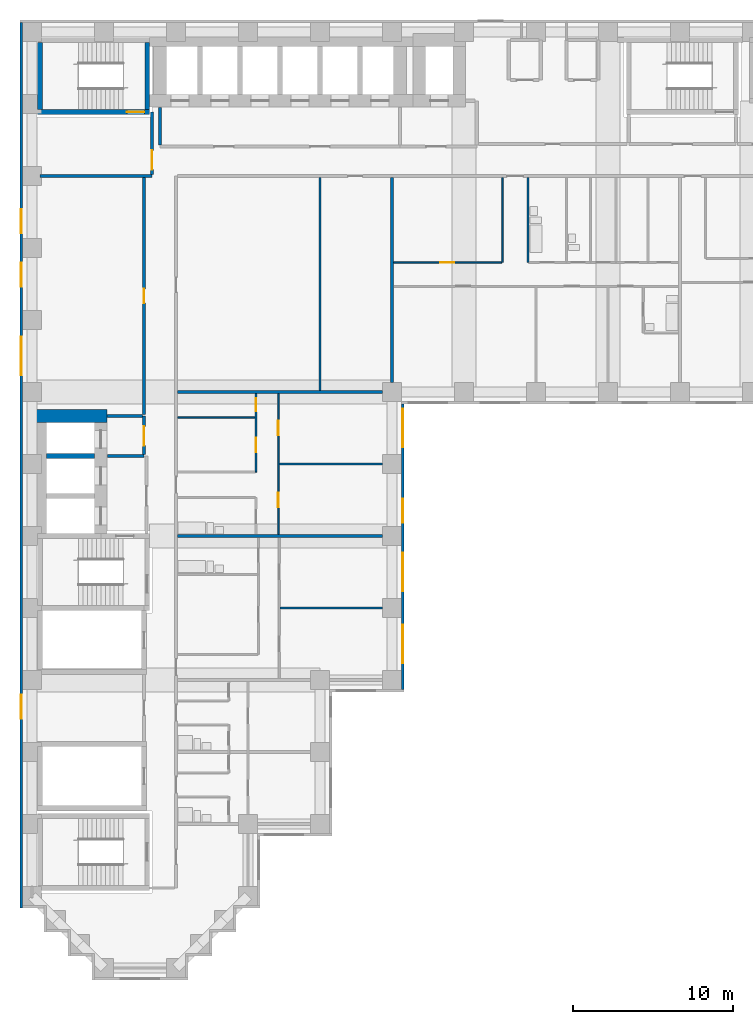
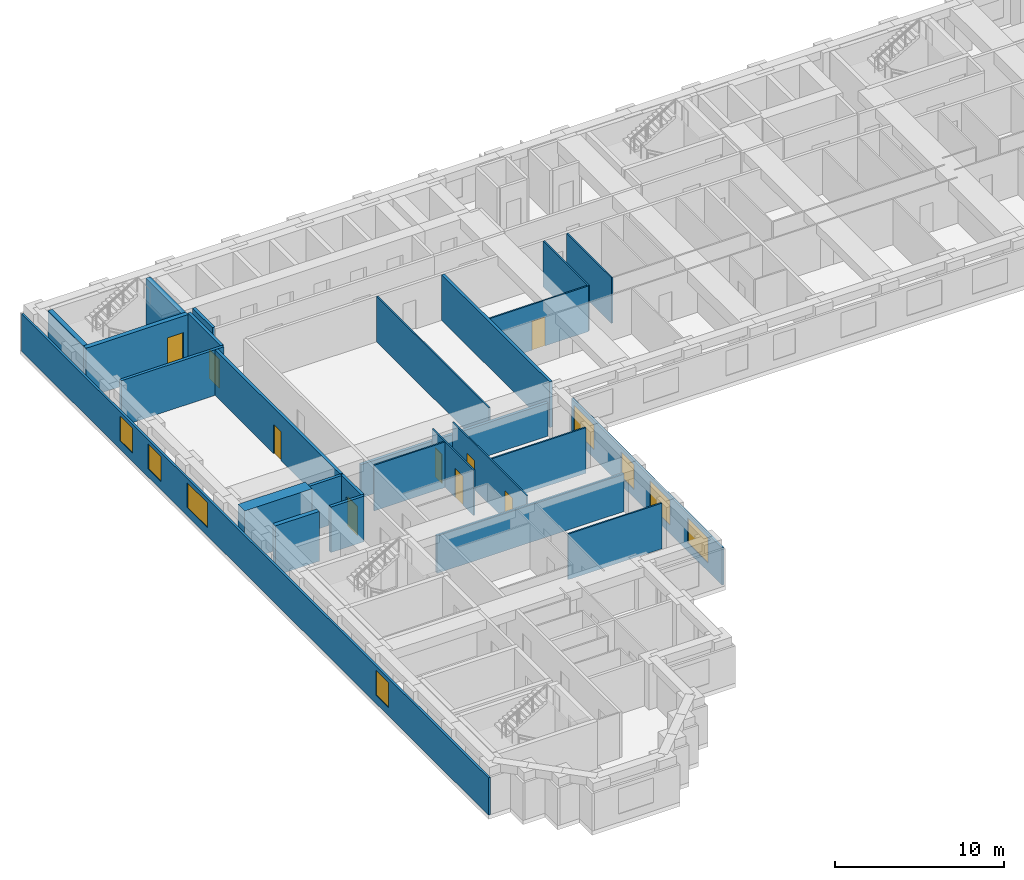
# One storey, part 6 of 14: 26 walls, 9 doors, 8 windows, 17 openings.
"""IFC4 building model written with IfcOpenShell, lengths in metres."""

from ifc_helpers import new_model, si_unit, direction, frame, frame_2d, origin, place, context, subcontext, project, spatial, rectangle, extrude, material, layer, layer_set, type_object, element, fill, save


model = new_model("IFC4")

# Units and contexts
model_context = context("Model", 3, precision=1e-05, world=origin(), true_north=direction((0.0, 1.0)))
body_context = subcontext(model_context, "Body", "Model", "MODEL_VIEW")
ifc_project = project(units=[si_unit("LENGTHUNIT", "METRE"), si_unit("AREAUNIT", "SQUARE_METRE"), si_unit("VOLUMEUNIT", "CUBIC_METRE"), si_unit("PLANEANGLEUNIT", "RADIAN"), si_unit("MASSUNIT", "GRAM", prefix="KILO")], contexts=[model_context])

# Site, building, storey
site_placement = place(None, origin())
site = spatial("IfcSite", under=ifc_project, at=site_placement, CompositionType="ELEMENT")
building_placement = place(site_placement, origin())
building = spatial("IfcBuilding", under=site, at=building_placement, Name="Firuza Court", CompositionType="ELEMENT")
storey_placement = place(building_placement, frame((0.0, 0.0, 32.60009765625)))
storey = spatial("IfcBuildingStorey", under=building, at=storey_placement, Name="L06", CompositionType="ELEMENT", Elevation=32.60009765625)

# Wall
ifc_material_1 = material(Name="Moisture-resistant gypsum board partition")
ifc_layer_1 = layer(ifc_material_1, 0.10009765625)
ifc_layer_set_1 = layer_set([ifc_layer_1], Name="Moisture-resistant gypsum board partition")
wall_type_1 = type_object("IfcWallType", Name="Bathroom partition 100", PredefinedType="PLUMBINGWALL", material=ifc_layer_set_1)
wall_1_placement = place(storey_placement, frame((31.0, 44.10009765625, 0.0), z_axis=(0.0, 0.0, 1.0), x_axis=(0.0, 1.0, 0.0)))
element("IfcWall", 1, at=wall_1_placement, inside=storey, type_object=wall_type_1, Name="Bathroom partition 100 L06", PredefinedType="PLUMBINGWALL", context=body_context, shape_type="SweptSolid", body=[
    extrude(rectangle(XDim=5.2998046875, YDim=0.10009765625, at=frame_2d((2.64990234375, 0.0))), origin(), (0.0, 0.0, 1.0), 3.2998046875),
])

# Wall, opening, door
ifc_material_2 = material(Name="Concrete C60/75", Category="concrete")
ifc_layer_2 = layer(ifc_material_2, 0.300048828125)
ifc_layer_set_2 = layer_set([ifc_layer_2], Name="Concrete C60/75")
wall_type_2 = type_object("IfcWallType", Name="Core wall 300 C60/75", PredefinedType="SHEAR", material=ifc_layer_set_2)
wall_2_placement = place(storey_placement, frame((0.35009765625, 53.5, -0.300048828125), z_axis=(0.0, 0.0, 1.0), x_axis=(1.0, 0.0, 0.0)))
wall_2 = element("IfcWall", 2, at=wall_2_placement, inside=storey, type_object=wall_type_2, Name="Core wall stair L06", PredefinedType="SHEAR", context=body_context, shape_type="SweptSolid", body=[
    extrude(rectangle(XDim=7.0, YDim=0.300048828125, at=frame_2d((3.5, 0.0))), origin(), (0.0, 0.0, 1.0), 3.599853515625),
])
opening_1_placement = place(wall_2_placement, frame((5.580078125, 0.0, 0.300048828125)))
opening_1 = element("IfcOpeningElement", 3, at=opening_1_placement, cuts=wall_2, Name="Opening D06016", PredefinedType="OPENING", context=body_context, shape_type="SweptSolid", body=[
    extrude(rectangle(XDim=1.10009765625, YDim=2.10009765625, at=frame_2d((0.550048828125, 1.050048828125))), frame((0.0, 0.162109375, 0.0), z_axis=(0.0, -1.0, 0.0), x_axis=(1.0, 0.0, 0.0)), (0.0, 0.0, 1.0), 0.323974609375),
])
ifc_material_3 = material(Name="Timber door leaf in hardwood frame", Category="wood")
door_type_1 = type_object("IfcDoorType", Name="Stair door 1100", OperationType="SINGLE_SWING_LEFT", PredefinedType="DOOR", material=ifc_material_3)
door_1_placement = place(opening_1_placement, origin())
door_1 = element("IfcDoor", 4, at=door_1_placement, inside=storey, type_object=door_type_1, Name="Stair door S3", OperationType="SINGLE_SWING_RIGHT", OverallHeight=2.10009765625, OverallWidth=1.10009765625, PredefinedType="DOOR", context=body_context, shape_type="SweptSolid", body=[
    extrude(rectangle(XDim=1.10009765625, YDim=2.10009765625, at=frame_2d((0.550048828125, 1.050048828125))), frame((0.0, 0.02490234375, 0.0), z_axis=(0.0, -1.0, 0.0), x_axis=(1.0, 0.0, 0.0)), (0.0, 0.0, 1.0), 0.050048828125),
])
fill(opening_1, door_1)

# Walls
wall_3_placement = place(storey_placement, frame((0.5, 53.64990234375, -0.300048828125), z_axis=(0.0, 0.0, 1.0), x_axis=(0.0, 1.0, 0.0)))
element("IfcWall", 5, at=wall_3_placement, inside=storey, type_object=wall_type_2, Name="Core wall stair L06", PredefinedType="SHEAR", context=body_context, shape_type="SweptSolid", body=[
    extrude(rectangle(XDim=4.2001953125, YDim=0.300048828125, at=frame_2d((2.10009765625, 0.0))), origin(), (0.0, 0.0, 1.0), 3.599853515625),
])
wall_4_placement = place(storey_placement, frame((0.89990234375, 32.0, -0.300048828125), z_axis=(0.0, 0.0, 1.0), x_axis=(1.0, 0.0, 0.0)))
element("IfcWall", 6, at=wall_4_placement, inside=storey, type_object=wall_type_2, Name="Core wall lift shaft L06", PredefinedType="SHEAR", context=body_context, shape_type="SweptSolid", body=[
    extrude(rectangle(XDim=3.0, YDim=0.300048828125, at=frame_2d((1.5, 0.0))), origin(), (0.0, 0.0, 1.0), 3.599853515625),
])
wall_5_placement = place(storey_placement, frame((7.199951171875, 53.64990234375, -0.300048828125), z_axis=(0.0, 0.0, 1.0), x_axis=(0.0, 1.0, 0.0)))
element("IfcWall", 7, at=wall_5_placement, inside=storey, type_object=wall_type_2, Name="Core wall stair L06", PredefinedType="SHEAR", context=body_context, shape_type="SweptSolid", body=[
    extrude(rectangle(XDim=4.2001953125, YDim=0.300048828125, at=frame_2d((2.10009765625, 0.0))), origin(), (0.0, 0.0, 1.0), 3.599853515625),
])
ifc_layer_3 = layer(ifc_material_2, 0.800048828125)
ifc_layer_set_3 = layer_set([ifc_layer_3], Name="Concrete C60/75")
wall_type_3 = type_object("IfcWallType", Name="Core wall 800 C60/75", PredefinedType="SHEAR", material=ifc_layer_set_3)
wall_6_placement = place(storey_placement, frame((0.10009765625, 34.5, -0.300048828125), z_axis=(0.0, 0.0, 1.0), x_axis=(1.0, 0.0, 0.0)))
element("IfcWall", 8, at=wall_6_placement, inside=storey, type_object=wall_type_3, Name="Core wall lift shaft L06", PredefinedType="SHEAR", context=body_context, shape_type="SweptSolid", body=[
    extrude(rectangle(XDim=4.599853515625, YDim=0.800048828125, at=frame_2d((2.2998046875, 0.0))), origin(), (0.0, 0.0, 1.0), 3.599853515625),
])

# Wall, opening, door
ifc_material_4 = material(Name="Blockwork, plastered both sides", Category="masonry")
ifc_layer_4 = layer(ifc_material_4, 0.199951171875)
ifc_layer_set_4 = layer_set([ifc_layer_4], Name="Blockwork, plastered both sides")
wall_type_4 = type_object("IfcWallType", Name="Corridor wall 200", PredefinedType="PARTITIONING", material=ifc_layer_set_4)
wall_7_placement = place(storey_placement, frame((7.0, 34.60009765625, 0.0), z_axis=(0.0, 0.0, 1.0), x_axis=(0.0, 1.0, 0.0)))
wall_7 = element("IfcWall", 9, at=wall_7_placement, inside=storey, type_object=wall_type_4, Name="Corridor wall 200 L06", PredefinedType="PARTITIONING", context=body_context, shape_type="SweptSolid", body=[
    extrude(rectangle(XDim=14.7998046875, YDim=0.199951171875, at=frame_2d((7.39990234375, 0.0))), origin(), (0.0, 0.0, 1.0), 3.2998046875),
])
opening_2_placement = place(wall_7_placement, frame((6.949951171875, 0.0, 0.0)))
opening_2 = element("IfcOpeningElement", 10, at=opening_2_placement, cuts=wall_7, Name="Opening D06041", PredefinedType="OPENING", context=body_context, shape_type="SweptSolid", body=[
    extrude(rectangle(XDim=0.89990234375, YDim=2.10009765625, at=frame_2d((0.449951171875, 1.050048828125))), frame((0.0, 0.11181640625, 0.0), z_axis=(0.0, -1.0, 0.0), x_axis=(1.0, 0.0, 0.0)), (0.0, 0.0, 1.0), 0.223876953125),
])
ifc_material_5 = material(Name="Timber door leaf in hardwood frame", Category="wood")
door_type_2 = type_object("IfcDoorType", Name="Room door 900 EI 30", OperationType="SINGLE_SWING_LEFT", PredefinedType="DOOR", material=ifc_material_5)
door_2_placement = place(opening_2_placement, origin())
door_2 = element("IfcDoor", 11, at=door_2_placement, inside=storey, type_object=door_type_2, Name="Residents' workroom door", OperationType="SINGLE_SWING_LEFT", OverallHeight=2.10009765625, OverallWidth=0.89990234375, PredefinedType="DOOR", context=body_context, shape_type="SweptSolid", body=[
    extrude(rectangle(XDim=0.89990234375, YDim=2.10009765625, at=frame_2d((0.449951171875, 1.050048828125))), frame((0.0, 0.02490234375, 0.0), z_axis=(0.0, -1.0, 0.0), x_axis=(1.0, 0.0, 0.0)), (0.0, 0.0, 1.0), 0.050048828125),
])
fill(opening_2, door_2)

# Wall
ifc_material_6 = material(Name="Timber stud partition, plasterboard both sides", Category="wood")
ifc_layer_5 = layer(ifc_material_6, 0.10009765625)
ifc_layer_set_5 = layer_set([ifc_layer_5], Name="Timber stud partition, plasterboard both sides")
wall_type_5 = type_object("IfcWallType", Name="Partition wall 100", PredefinedType="PARTITIONING", material=ifc_layer_set_5)
wall_8_placement = place(storey_placement, frame((15.5, 22.5, 0.0), z_axis=(0.0, 0.0, 1.0), x_axis=(1.0, 0.0, 0.0)))
element("IfcWall", 12, at=wall_8_placement, inside=storey, type_object=wall_type_5, Name="Partition wall 100 L06", PredefinedType="PARTITIONING", context=body_context, shape_type="SweptSolid", body=[
    extrude(rectangle(XDim=6.39990234375, YDim=0.10009765625, at=frame_2d((3.199951171875, 0.0))), origin(), (0.0, 0.0, 1.0), 3.2998046875),
])

# Wall, openings, doors
wall_9_placement = place(storey_placement, frame((15.39990234375, 27.10009765625, 0.0), z_axis=(0.0, 0.0, 1.0), x_axis=(0.0, 1.0, 0.0)))
wall_9 = element("IfcWall", 13, at=wall_9_placement, inside=storey, type_object=wall_type_5, Name="Partition wall 100 L06", PredefinedType="PARTITIONING", context=body_context, shape_type="SweptSolid", body=[
    extrude(rectangle(XDim=8.7998046875, YDim=0.10009765625, at=frame_2d((4.39990234375, 0.0))), origin(), (0.0, 0.0, 1.0), 3.2998046875),
])
opening_3_placement = place(wall_9_placement, frame((1.699951171875, 0.0, 0.0)))
opening_3 = element("IfcOpeningElement", 14, at=opening_3_placement, cuts=wall_9, Name="Opening D06037", PredefinedType="OPENING", context=body_context, shape_type="SweptSolid", body=[
    extrude(rectangle(XDim=0.89990234375, YDim=2.10009765625, at=frame_2d((0.449951171875, 1.050048828125))), frame((0.0, 0.06201171875, 0.0), z_axis=(0.0, -1.0, 0.0), x_axis=(1.0, 0.0, 0.0)), (0.0, 0.0, 1.0), 0.1240234375),
])
opening_4_placement = place(wall_9_placement, frame((6.199951171875, 0.0, 0.0)))
opening_4 = element("IfcOpeningElement", 15, at=opening_4_placement, cuts=wall_9, Name="Opening D06038", PredefinedType="OPENING", context=body_context, shape_type="SweptSolid", body=[
    extrude(rectangle(XDim=0.89990234375, YDim=2.10009765625, at=frame_2d((0.449951171875, 1.050048828125))), frame((0.0, 0.06201171875, 0.0), z_axis=(0.0, -1.0, 0.0), x_axis=(1.0, 0.0, 0.0)), (0.0, 0.0, 1.0), 0.1240234375),
])
ifc_material_7 = material(Name="Timber door leaf in hardwood frame", Category="wood")
door_type_3 = type_object("IfcDoorType", Name="Room door 900", OperationType="SINGLE_SWING_LEFT", PredefinedType="DOOR", material=ifc_material_7)
door_3_placement = place(opening_3_placement, frame((0.89990234375, 0.0, 0.0), z_axis=(0.0, 0.0, 1.0), x_axis=(-1.0, 0.0, 0.0)))
door_3 = element("IfcDoor", 16, at=door_3_placement, inside=storey, type_object=door_type_3, Name="Bedroom door", OperationType="SINGLE_SWING_RIGHT", OverallHeight=2.10009765625, OverallWidth=0.89990234375, PredefinedType="DOOR", context=body_context, shape_type="SweptSolid", body=[
    extrude(rectangle(XDim=0.89990234375, YDim=2.10009765625, at=frame_2d((0.449951171875, 1.050048828125))), frame((0.0, 0.02490234375, 0.0), z_axis=(0.0, -1.0, 0.0), x_axis=(1.0, 0.0, 0.0)), (0.0, 0.0, 1.0), 0.050048828125),
])
fill(opening_3, door_3)
door_4_placement = place(opening_4_placement, frame((0.89990234375, 0.0, 0.0), z_axis=(0.0, 0.0, 1.0), x_axis=(-1.0, 0.0, 0.0)))
door_4 = element("IfcDoor", 17, at=door_4_placement, inside=storey, type_object=door_type_3, Name="Living room door", OperationType="SINGLE_SWING_RIGHT", OverallHeight=2.10009765625, OverallWidth=0.89990234375, PredefinedType="DOOR", context=body_context, shape_type="SweptSolid", body=[
    extrude(rectangle(XDim=0.89990234375, YDim=2.10009765625, at=frame_2d((0.449951171875, 1.050048828125))), frame((0.0, 0.02490234375, 0.0), z_axis=(0.0, -1.0, 0.0), x_axis=(1.0, 0.0, 0.0)), (0.0, 0.0, 1.0), 0.050048828125),
])
fill(opening_4, door_4)

wall_10_placement = place(storey_placement, frame((14.0, 31.0, 0.0), z_axis=(0.0, 0.0, 1.0), x_axis=(0.0, 1.0, 0.0)))
wall_10 = element("IfcWall", 18, at=wall_10_placement, inside=storey, type_object=wall_type_5, Name="Partition wall 100 L06", PredefinedType="PARTITIONING", context=body_context, shape_type="SweptSolid", body=[
    extrude(rectangle(XDim=4.89990234375, YDim=0.10009765625, at=frame_2d((2.449951171875, 0.0))), origin(), (0.0, 0.0, 1.0), 3.2998046875),
])
opening_5_placement = place(wall_10_placement, frame((1.25, 0.0, 0.0)))
opening_5 = element("IfcOpeningElement", 19, at=opening_5_placement, cuts=wall_10, Name="Opening D06039", PredefinedType="OPENING", context=body_context, shape_type="SweptSolid", body=[
    extrude(rectangle(XDim=0.89990234375, YDim=2.10009765625, at=frame_2d((0.449951171875, 1.050048828125))), frame((0.0, 0.06201171875, 0.0), z_axis=(0.0, -1.0, 0.0), x_axis=(1.0, 0.0, 0.0)), (0.0, 0.0, 1.0), 0.1240234375),
])
opening_6_placement = place(wall_10_placement, frame((3.800048828125, 0.0, 0.0)))
opening_6 = element("IfcOpeningElement", 20, at=opening_6_placement, cuts=wall_10, Name="Opening D06040", PredefinedType="OPENING", context=body_context, shape_type="SweptSolid", body=[
    extrude(rectangle(XDim=0.800048828125, YDim=2.10009765625, at=frame_2d((0.39990234375, 1.050048828125))), frame((0.0, 0.06201171875, 0.0), z_axis=(0.0, -1.0, 0.0), x_axis=(1.0, 0.0, 0.0)), (0.0, 0.0, 1.0), 0.1240234375),
])
ifc_material_8 = material(Name="Timber door leaf in hardwood frame", Category="wood")
door_type_4 = type_object("IfcDoorType", Name="Room door 800", OperationType="SINGLE_SWING_LEFT", PredefinedType="DOOR", material=ifc_material_8)
door_5_placement = place(opening_6_placement, origin())
door_5 = element("IfcDoor", 21, at=door_5_placement, inside=storey, type_object=door_type_4, Name="Store door", OperationType="SINGLE_SWING_LEFT", OverallHeight=2.10009765625, OverallWidth=0.800048828125, PredefinedType="DOOR", context=body_context, shape_type="SweptSolid", body=[
    extrude(rectangle(XDim=0.800048828125, YDim=2.10009765625, at=frame_2d((0.39990234375, 1.050048828125))), frame((0.0, 0.02490234375, 0.0), z_axis=(0.0, -1.0, 0.0), x_axis=(1.0, 0.0, 0.0)), (0.0, 0.0, 1.0), 0.050048828125),
])
fill(opening_6, door_5)
door_6_placement = place(opening_5_placement, origin())
door_6 = element("IfcDoor", 22, at=door_6_placement, inside=storey, type_object=door_type_3, Name="Kitchen door", OperationType="SINGLE_SWING_LEFT", OverallHeight=2.10009765625, OverallWidth=0.89990234375, PredefinedType="DOOR", context=body_context, shape_type="SweptSolid", body=[
    extrude(rectangle(XDim=0.89990234375, YDim=2.10009765625, at=frame_2d((0.449951171875, 1.050048828125))), frame((0.0, 0.02490234375, 0.0), z_axis=(0.0, -1.0, 0.0), x_axis=(1.0, 0.0, 0.0)), (0.0, 0.0, 1.0), 0.050048828125),
])
fill(opening_5, door_6)

# Walls
wall_11_placement = place(storey_placement, frame((15.449951171875, 31.5, 0.0), z_axis=(0.0, 0.0, 1.0), x_axis=(1.0, 0.0, 0.0)))
element("IfcWall", 23, at=wall_11_placement, inside=storey, type_object=wall_type_5, Name="Partition wall 100 L06", PredefinedType="PARTITIONING", context=body_context, shape_type="SweptSolid", body=[
    extrude(rectangle(XDim=6.449951171875, YDim=0.10009765625, at=frame_2d((3.22509765625, 0.0))), origin(), (0.0, 0.0, 1.0), 3.2998046875),
])
wall_12_placement = place(storey_placement, frame((9.10009765625, 34.39990234375, 0.0), z_axis=(0.0, 0.0, 1.0), x_axis=(1.0, 0.0, 0.0)))
element("IfcWall", 24, at=wall_12_placement, inside=storey, type_object=wall_type_5, Name="Partition wall 100 L06", PredefinedType="PARTITIONING", context=body_context, shape_type="SweptSolid", body=[
    extrude(rectangle(XDim=4.849853515625, YDim=0.10009765625, at=frame_2d((2.4248046875, 0.0))), origin(), (0.0, 0.0, 1.0), 3.2998046875),
])
wall_13_placement = place(storey_placement, frame((18.0, 36.10009765625, 0.0), z_axis=(0.0, 0.0, 1.0), x_axis=(0.0, 1.0, 0.0)))
element("IfcWall", 25, at=wall_13_placement, inside=storey, type_object=wall_type_5, Name="Partition wall 100 L06", PredefinedType="PARTITIONING", context=body_context, shape_type="SweptSolid", body=[
    extrude(rectangle(XDim=13.2998046875, YDim=0.10009765625, at=frame_2d((6.64990234375, 0.0))), origin(), (0.0, 0.0, 1.0), 3.2998046875),
])

# Wall, opening, door
wall_14_placement = place(storey_placement, frame((22.60009765625, 44.10009765625, 0.0), z_axis=(0.0, 0.0, 1.0), x_axis=(1.0, 0.0, 0.0)))
wall_14 = element("IfcWall", 26, at=wall_14_placement, inside=storey, type_object=wall_type_5, Name="Partition wall 100 L06", PredefinedType="PARTITIONING", context=body_context, shape_type="SweptSolid", body=[
    extrude(rectangle(XDim=6.75, YDim=0.10009765625, at=frame_2d((3.375, 0.0))), origin(), (0.0, 0.0, 1.0), 3.2998046875),
])
opening_7_placement = place(wall_14_placement, frame((2.89990234375, 0.0, 0.0)))
opening_7 = element("IfcOpeningElement", 27, at=opening_7_placement, cuts=wall_14, Name="Opening D06051", PredefinedType="OPENING", context=body_context, shape_type="SweptSolid", body=[
    extrude(rectangle(XDim=0.89990234375, YDim=2.10009765625, at=frame_2d((0.449951171875, 1.050048828125))), frame((0.0, 0.06201171875, 0.0), z_axis=(0.0, -1.0, 0.0), x_axis=(1.0, 0.0, 0.0)), (0.0, 0.0, 1.0), 0.1240234375),
])
door_7_placement = place(opening_7_placement, origin())
door_7 = element("IfcDoor", 28, at=door_7_placement, inside=storey, type_object=door_type_3, Name="Kitchen door", OperationType="SINGLE_SWING_LEFT", OverallHeight=2.10009765625, OverallWidth=0.89990234375, PredefinedType="DOOR", context=body_context, shape_type="SweptSolid", body=[
    extrude(rectangle(XDim=0.89990234375, YDim=2.10009765625, at=frame_2d((0.449951171875, 1.050048828125))), frame((0.0, 0.02490234375, 0.0), z_axis=(0.0, -1.0, 0.0), x_axis=(1.0, 0.0, 0.0)), (0.0, 0.0, 1.0), 0.050048828125),
])
fill(opening_7, door_7)

# Walls
wall_15_placement = place(storey_placement, frame((29.39990234375, 44.10009765625, 0.0), z_axis=(0.0, 0.0, 1.0), x_axis=(0.0, 1.0, 0.0)))
element("IfcWall", 29, at=wall_15_placement, inside=storey, type_object=wall_type_5, Name="Partition wall 100 L06", PredefinedType="PARTITIONING", context=body_context, shape_type="SweptSolid", body=[
    extrude(rectangle(XDim=5.2998046875, YDim=0.10009765625, at=frame_2d((2.64990234375, 0.0))), origin(), (0.0, 0.0, 1.0), 3.2998046875),
])
ifc_layer_6 = layer(ifc_material_4, 0.199951171875)
ifc_layer_set_6 = layer_set([ifc_layer_6], Name="Blockwork, plastered both sides")
wall_type_6 = type_object("IfcWallType", Name="Party wall 200", PredefinedType="PARTITIONING", material=ifc_layer_set_6)
wall_16_placement = place(storey_placement, frame((9.10009765625, 27.0, 0.0), z_axis=(0.0, 0.0, 1.0), x_axis=(1.0, 0.0, 0.0)))
element("IfcWall", 30, at=wall_16_placement, inside=storey, type_object=wall_type_6, Name="Party wall 200 L06", PredefinedType="PARTITIONING", context=body_context, shape_type="SweptSolid", body=[
    extrude(rectangle(XDim=12.7998046875, YDim=0.199951171875, at=frame_2d((6.39990234375, 0.0))), origin(), (0.0, 0.0, 1.0), 2.699951171875),
])
wall_17_placement = place(storey_placement, frame((9.10009765625, 36.0, 0.0), z_axis=(0.0, 0.0, 1.0), x_axis=(1.0, 0.0, 0.0)))
element("IfcWall", 31, at=wall_17_placement, inside=storey, type_object=wall_type_6, Name="Party wall 200 L06", PredefinedType="PARTITIONING", context=body_context, shape_type="SweptSolid", body=[
    extrude(rectangle(XDim=12.7998046875, YDim=0.199951171875, at=frame_2d((6.39990234375, 0.0))), origin(), (0.0, 0.0, 1.0), 2.39990234375),
])
wall_18_placement = place(storey_placement, frame((22.5, 36.60009765625, 0.0), z_axis=(0.0, 0.0, 1.0), x_axis=(0.0, 1.0, 0.0)))
element("IfcWall", 32, at=wall_18_placement, inside=storey, type_object=wall_type_6, Name="Party wall 200 L06", PredefinedType="PARTITIONING", context=body_context, shape_type="SweptSolid", body=[
    extrude(rectangle(XDim=12.7998046875, YDim=0.199951171875, at=frame_2d((6.39990234375, 0.0))), origin(), (0.0, 0.0, 1.0), 3.2998046875),
])

# Wall, openings, windows
ifc_material_9 = material(Name="Ceramic tile", Category="ceramic")
ifc_layer_7 = layer(ifc_material_9, 0.02001953125)
ifc_material_10 = material(Name="Mineral wool insulation", Category="insulation")
ifc_layer_8 = layer(ifc_material_10, 0.050048828125)
ifc_material_11 = material(Name="Concrete C40/50 precast", Category="concrete")
ifc_layer_9 = layer(ifc_material_11, 0.080078125)
ifc_layer_set_7 = layer_set([ifc_layer_7, ifc_layer_8, ifc_layer_9], Name="Concrete C40/50 precast")
wall_type_7 = type_object("IfcWallType", Name="Precast cladding wall with turquoise TILE PANEL face 150", PredefinedType="STANDARD", material=ifc_layer_set_7)
wall_19_placement = place(storey_placement, frame((23.175048828125, 17.39990234375, 0.0), z_axis=(0.0, 0.0, 1.0), x_axis=(0.0, 1.0, 0.0)))
wall_19 = element("IfcWall", 33, at=wall_19_placement, inside=storey, type_object=wall_type_7, Name="Facade wall L06 E", PredefinedType="STANDARD", context=body_context, shape_type="SweptSolid", body=[
    extrude(rectangle(XDim=17.85009765625, YDim=0.14990234375, at=frame_2d((8.925048828125, 0.0))), origin(), (0.0, 0.0, 1.0), 2.699951171875),
])
opening_8_placement = place(wall_19_placement, frame((1.64990234375, 0.0, 0.60009765625)))
opening_8 = element("IfcOpeningElement", 34, at=opening_8_placement, cuts=wall_19, Name="Opening W1", PredefinedType="OPENING", context=body_context, shape_type="SweptSolid", body=[
    extrude(rectangle(XDim=2.39990234375, YDim=1.800048828125, at=frame_2d((1.199951171875, 0.89990234375))), frame((0.0, 0.0869140625, 0.0), z_axis=(0.0, -1.0, 0.0), x_axis=(1.0, 0.0, 0.0)), (0.0, 0.0, 1.0), 0.173828125),
])
opening_9_placement = place(wall_19_placement, frame((6.14990234375, 0.0, 0.60009765625)))
opening_9 = element("IfcOpeningElement", 35, at=opening_9_placement, cuts=wall_19, Name="Opening W1", PredefinedType="OPENING", context=body_context, shape_type="SweptSolid", body=[
    extrude(rectangle(XDim=2.39990234375, YDim=1.800048828125, at=frame_2d((1.199951171875, 0.89990234375))), frame((0.0, 0.0869140625, 0.0), z_axis=(0.0, -1.0, 0.0), x_axis=(1.0, 0.0, 0.0)), (0.0, 0.0, 1.0), 0.173828125),
])
opening_10_placement = place(wall_19_placement, frame((10.4326171875, 0.0, 0.60009765625)))
opening_10 = element("IfcOpeningElement", 36, at=opening_10_placement, cuts=wall_19, Name="Opening W2", PredefinedType="OPENING", context=body_context, shape_type="SweptSolid", body=[
    extrude(rectangle(XDim=1.5, YDim=1.800048828125, at=frame_2d((0.75, 0.89990234375))), frame((0.0, 0.0869140625, 0.0), z_axis=(0.0, -1.0, 0.0), x_axis=(1.0, 0.0, 0.0)), (0.0, 0.0, 1.0), 0.173828125),
])
opening_11_placement = place(wall_19_placement, frame((15.14990234375, 0.0, 0.60009765625)))
opening_11 = element("IfcOpeningElement", 37, at=opening_11_placement, cuts=wall_19, Name="Opening W1", PredefinedType="OPENING", context=body_context, shape_type="SweptSolid", body=[
    extrude(rectangle(XDim=2.39990234375, YDim=1.800048828125, at=frame_2d((1.199951171875, 0.89990234375))), frame((0.0, 0.0869140625, 0.0), z_axis=(0.0, -1.0, 0.0), x_axis=(1.0, 0.0, 0.0)), (0.0, 0.0, 1.0), 0.173828125),
])
ifc_material_12 = material(Name="Aluminium frame, triple clear glazing", Category="aluminium")
window_type_1 = type_object("IfcWindowType", Name="Window W1 2400 x 1800", PartitioningType="SINGLE_PANEL", PredefinedType="WINDOW", material=ifc_material_12)
window_1_placement = place(opening_8_placement, origin())
window_1 = element("IfcWindow", 38, at=window_1_placement, inside=storey, type_object=window_type_1, Name="Window L06", OverallHeight=1.800048828125, OverallWidth=2.39990234375, PartitioningType="SINGLE_PANEL", PredefinedType="WINDOW", context=body_context, shape_type="SweptSolid", body=[
    extrude(rectangle(XDim=2.39990234375, YDim=1.800048828125, at=frame_2d((1.199951171875, 0.89990234375))), frame((0.0, 0.030029296875, 0.0), z_axis=(0.0, -1.0, 0.0), x_axis=(1.0, 0.0, 0.0)), (0.0, 0.0, 1.0), 0.06005859375),
])
fill(opening_8, window_1)
window_2_placement = place(opening_9_placement, origin())
window_2 = element("IfcWindow", 39, at=window_2_placement, inside=storey, type_object=window_type_1, Name="Window L06", OverallHeight=1.800048828125, OverallWidth=2.39990234375, PartitioningType="SINGLE_PANEL", PredefinedType="WINDOW", context=body_context, shape_type="SweptSolid", body=[
    extrude(rectangle(XDim=2.39990234375, YDim=1.800048828125, at=frame_2d((1.199951171875, 0.89990234375))), frame((0.0, 0.030029296875, 0.0), z_axis=(0.0, -1.0, 0.0), x_axis=(1.0, 0.0, 0.0)), (0.0, 0.0, 1.0), 0.06005859375),
])
fill(opening_9, window_2)
window_3_placement = place(opening_11_placement, origin())
window_3 = element("IfcWindow", 40, at=window_3_placement, inside=storey, type_object=window_type_1, Name="Window L06", OverallHeight=1.800048828125, OverallWidth=2.39990234375, PartitioningType="SINGLE_PANEL", PredefinedType="WINDOW", context=body_context, shape_type="SweptSolid", body=[
    extrude(rectangle(XDim=2.39990234375, YDim=1.800048828125, at=frame_2d((1.199951171875, 0.89990234375))), frame((0.0, 0.030029296875, 0.0), z_axis=(0.0, -1.0, 0.0), x_axis=(1.0, 0.0, 0.0)), (0.0, 0.0, 1.0), 0.06005859375),
])
fill(opening_11, window_3)
ifc_material_13 = material(Name="Aluminium frame, triple clear glazing", Category="aluminium")
window_type_2 = type_object("IfcWindowType", Name="Window W2 1500 x 1800", PartitioningType="SINGLE_PANEL", PredefinedType="WINDOW", material=ifc_material_13)
window_4_placement = place(opening_10_placement, origin())
window_4 = element("IfcWindow", 41, at=window_4_placement, inside=storey, type_object=window_type_2, Name="Window L06", OverallHeight=1.800048828125, OverallWidth=1.5, PartitioningType="SINGLE_PANEL", PredefinedType="WINDOW", context=body_context, shape_type="SweptSolid", body=[
    extrude(rectangle(XDim=1.5, YDim=1.800048828125, at=frame_2d((0.75, 0.89990234375))), frame((0.0, 0.030029296875, 0.0), z_axis=(0.0, -1.0, 0.0), x_axis=(1.0, 0.0, 0.0)), (0.0, 0.0, 1.0), 0.06005859375),
])
fill(opening_10, window_4)

wall_20_placement = place(storey_placement, frame((-0.675048828125, 59.10009765625, 0.0), z_axis=(0.0, 0.0, 1.0), x_axis=(0.0, -1.0, 0.0)))
wall_20 = element("IfcWall", 42, at=wall_20_placement, inside=storey, type_object=wall_type_7, Name="Facade wall L06 W", PredefinedType="STANDARD", context=body_context, shape_type="SweptSolid", body=[
    extrude(rectangle(XDim=55.35009765625, YDim=0.14990234375, at=frame_2d((27.675048828125, 0.0))), origin(), (0.0, 0.0, 1.0), 2.699951171875),
])
opening_12_placement = place(wall_20_placement, frame((11.67041015625, 0.0, 0.60009765625)))
opening_12 = element("IfcOpeningElement", 43, at=opening_12_placement, cuts=wall_20, Name="Opening W2", PredefinedType="OPENING", context=body_context, shape_type="SweptSolid", body=[
    extrude(rectangle(XDim=1.5, YDim=1.800048828125, at=frame_2d((0.75, 0.89990234375))), frame((0.0, 0.0869140625, 0.0), z_axis=(0.0, -1.0, 0.0), x_axis=(1.0, 0.0, 0.0)), (0.0, 0.0, 1.0), 0.173828125),
])
opening_13_placement = place(wall_20_placement, frame((15.029541015625, 0.0, 0.60009765625)))
opening_13 = element("IfcOpeningElement", 44, at=opening_13_placement, cuts=wall_20, Name="Opening W2", PredefinedType="OPENING", context=body_context, shape_type="SweptSolid", body=[
    extrude(rectangle(XDim=1.5, YDim=1.800048828125, at=frame_2d((0.75, 0.89990234375))), frame((0.0, 0.0869140625, 0.0), z_axis=(0.0, -1.0, 0.0), x_axis=(1.0, 0.0, 0.0)), (0.0, 0.0, 1.0), 0.173828125),
])
opening_14_placement = place(wall_20_placement, frame((19.64990234375, 0.0, 0.60009765625)))
opening_14 = element("IfcOpeningElement", 45, at=opening_14_placement, cuts=wall_20, Name="Opening W1", PredefinedType="OPENING", context=body_context, shape_type="SweptSolid", body=[
    extrude(rectangle(XDim=2.39990234375, YDim=1.800048828125, at=frame_2d((1.199951171875, 0.89990234375))), frame((0.0, 0.0869140625, 0.0), z_axis=(0.0, -1.0, 0.0), x_axis=(1.0, 0.0, 0.0)), (0.0, 0.0, 1.0), 0.173828125),
])
opening_15_placement = place(wall_20_placement, frame((42.029541015625, 0.0, 0.60009765625)))
opening_15 = element("IfcOpeningElement", 46, at=opening_15_placement, cuts=wall_20, Name="Opening W2", PredefinedType="OPENING", context=body_context, shape_type="SweptSolid", body=[
    extrude(rectangle(XDim=1.5, YDim=1.800048828125, at=frame_2d((0.75, 0.89990234375))), frame((0.0, 0.0869140625, 0.0), z_axis=(0.0, -1.0, 0.0), x_axis=(1.0, 0.0, 0.0)), (0.0, 0.0, 1.0), 0.173828125),
])
window_5_placement = place(opening_14_placement, origin())
window_5 = element("IfcWindow", 47, at=window_5_placement, inside=storey, type_object=window_type_1, Name="Window L06", OverallHeight=1.800048828125, OverallWidth=2.39990234375, PartitioningType="SINGLE_PANEL", PredefinedType="WINDOW", context=body_context, shape_type="SweptSolid", body=[
    extrude(rectangle(XDim=2.39990234375, YDim=1.800048828125, at=frame_2d((1.199951171875, 0.89990234375))), frame((0.0, 0.030029296875, 0.0), z_axis=(0.0, -1.0, 0.0), x_axis=(1.0, 0.0, 0.0)), (0.0, 0.0, 1.0), 0.06005859375),
])
fill(opening_14, window_5)
window_6_placement = place(opening_12_placement, origin())
window_6 = element("IfcWindow", 48, at=window_6_placement, inside=storey, type_object=window_type_2, Name="Window L06", OverallHeight=1.800048828125, OverallWidth=1.5, PartitioningType="SINGLE_PANEL", PredefinedType="WINDOW", context=body_context, shape_type="SweptSolid", body=[
    extrude(rectangle(XDim=1.5, YDim=1.800048828125, at=frame_2d((0.75, 0.89990234375))), frame((0.0, 0.030029296875, 0.0), z_axis=(0.0, -1.0, 0.0), x_axis=(1.0, 0.0, 0.0)), (0.0, 0.0, 1.0), 0.06005859375),
])
fill(opening_12, window_6)
window_7_placement = place(opening_13_placement, origin())
window_7 = element("IfcWindow", 49, at=window_7_placement, inside=storey, type_object=window_type_2, Name="Window L06", OverallHeight=1.800048828125, OverallWidth=1.5, PartitioningType="SINGLE_PANEL", PredefinedType="WINDOW", context=body_context, shape_type="SweptSolid", body=[
    extrude(rectangle(XDim=1.5, YDim=1.800048828125, at=frame_2d((0.75, 0.89990234375))), frame((0.0, 0.030029296875, 0.0), z_axis=(0.0, -1.0, 0.0), x_axis=(1.0, 0.0, 0.0)), (0.0, 0.0, 1.0), 0.06005859375),
])
fill(opening_13, window_7)
window_8_placement = place(opening_15_placement, origin())
window_8 = element("IfcWindow", 50, at=window_8_placement, inside=storey, type_object=window_type_2, Name="Window L06", OverallHeight=1.800048828125, OverallWidth=1.5, PartitioningType="SINGLE_PANEL", PredefinedType="WINDOW", context=body_context, shape_type="SweptSolid", body=[
    extrude(rectangle(XDim=1.5, YDim=1.800048828125, at=frame_2d((0.75, 0.89990234375))), frame((0.0, 0.030029296875, 0.0), z_axis=(0.0, -1.0, 0.0), x_axis=(1.0, 0.0, 0.0)), (0.0, 0.0, 1.0), 0.06005859375),
])
fill(opening_15, window_8)

# Walls
ifc_material_14 = material(Name="Blockwork, fire-rated", Category="masonry")
ifc_layer_10 = layer(ifc_material_14, 0.199951171875)
ifc_layer_set_8 = layer_set([ifc_layer_10], Name="Blockwork, fire-rated")
wall_type_8 = type_object("IfcWallType", Name="Shaft wall 200", PredefinedType="PARTITIONING", material=ifc_layer_set_8)
wall_21_placement = place(storey_placement, frame((8.0, 51.449951171875, 0.0), z_axis=(0.0, 0.0, 1.0), x_axis=(0.0, 1.0, 0.0)))
element("IfcWall", 51, at=wall_21_placement, inside=storey, type_object=wall_type_8, Name="Shaft wall 200 L06", PredefinedType="PARTITIONING", context=body_context, shape_type="SweptSolid", body=[
    extrude(rectangle(XDim=2.330078125, YDim=0.199951171875, at=frame_2d((1.1650390625, 0.0))), origin(), (0.0, 0.0, 1.0), 3.2998046875),
])
wall_22_placement = place(storey_placement, frame((4.719970703125, 32.0, 0.0), z_axis=(0.0, 0.0, 1.0), x_axis=(1.0, 0.0, 0.0)))
element("IfcWall", 52, at=wall_22_placement, inside=storey, type_object=wall_type_8, Name="Shaft wall 200 L06", PredefinedType="PARTITIONING", context=body_context, shape_type="SweptSolid", body=[
    extrude(rectangle(XDim=2.280029296875, YDim=0.199951171875, at=frame_2d((1.14013671875, 0.0))), origin(), (0.0, 0.0, 1.0), 3.2998046875),
])

# Wall, opening, door
wall_23_placement = place(storey_placement, frame((7.0, 32.10009765625, 0.0), z_axis=(0.0, 0.0, 1.0), x_axis=(0.0, 1.0, 0.0)))
wall_23 = element("IfcWall", 53, at=wall_23_placement, inside=storey, type_object=wall_type_8, Name="Shaft wall 200 L06", PredefinedType="PARTITIONING", context=body_context, shape_type="SweptSolid", body=[
    extrude(rectangle(XDim=2.39990234375, YDim=0.199951171875, at=frame_2d((1.199951171875, 0.0))), origin(), (0.0, 0.0, 1.0), 3.2998046875),
])
opening_16_placement = place(wall_23_placement, frame((0.550048828125, 0.0, 0.0)))
opening_16 = element("IfcOpeningElement", 54, at=opening_16_placement, cuts=wall_23, Name="Opening D06008", PredefinedType="OPENING", context=body_context, shape_type="SweptSolid", body=[
    extrude(rectangle(XDim=1.199951171875, YDim=2.10009765625, at=frame_2d((0.60009765625, 1.050048828125))), frame((0.0, 0.11181640625, 0.0), z_axis=(0.0, -1.0, 0.0), x_axis=(1.0, 0.0, 0.0)), (0.0, 0.0, 1.0), 0.223876953125),
])
ifc_material_15 = material(Name="Timber door leaf in hardwood frame", Category="wood")
door_type_5 = type_object("IfcDoorType", Name="Lobby door 1200", OperationType="SINGLE_SWING_LEFT", PredefinedType="DOOR", material=ifc_material_15)
door_8_placement = place(opening_16_placement, origin())
door_8 = element("IfcDoor", 55, at=door_8_placement, inside=storey, type_object=door_type_5, Name="Lobby door", OperationType="SINGLE_SWING_LEFT", OverallHeight=2.10009765625, OverallWidth=1.199951171875, PredefinedType="DOOR", context=body_context, shape_type="SweptSolid", body=[
    extrude(rectangle(XDim=1.199951171875, YDim=2.10009765625, at=frame_2d((0.60009765625, 1.050048828125))), frame((0.0, 0.02490234375, 0.0), z_axis=(0.0, -1.0, 0.0), x_axis=(1.0, 0.0, 0.0)), (0.0, 0.0, 1.0), 0.050048828125),
])
fill(opening_16, door_8)

# Walls
wall_24_placement = place(storey_placement, frame((4.699951171875, 34.5, 0.0), z_axis=(0.0, 0.0, 1.0), x_axis=(1.0, 0.0, 0.0)))
element("IfcWall", 56, at=wall_24_placement, inside=storey, type_object=wall_type_8, Name="Shaft wall 200 L06", PredefinedType="PARTITIONING", context=body_context, shape_type="SweptSolid", body=[
    extrude(rectangle(XDim=2.199951171875, YDim=0.199951171875, at=frame_2d((1.10009765625, 0.0))), origin(), (0.0, 0.0, 1.0), 3.2998046875),
])
wall_25_placement = place(storey_placement, frame((0.5, 49.5, 0.0), z_axis=(0.0, 0.0, 1.0), x_axis=(1.0, 0.0, 0.0)))
element("IfcWall", 57, at=wall_25_placement, inside=storey, type_object=wall_type_8, Name="Shaft wall 200 L06", PredefinedType="PARTITIONING", context=body_context, shape_type="SweptSolid", body=[
    extrude(rectangle(XDim=7.0, YDim=0.199951171875, at=frame_2d((3.5, 0.0))), origin(), (0.0, 0.0, 1.0), 3.2998046875),
])

# Wall, opening, door
wall_26_placement = place(storey_placement, frame((7.5, 49.60009765625, 0.0), z_axis=(0.0, 0.0, 1.0), x_axis=(0.0, 1.0, 0.0)))
wall_26 = element("IfcWall", 58, at=wall_26_placement, inside=storey, type_object=wall_type_8, Name="Shaft wall 200 L06", PredefinedType="PARTITIONING", context=body_context, shape_type="SweptSolid", body=[
    extrude(rectangle(XDim=3.89990234375, YDim=0.199951171875, at=frame_2d((1.949951171875, 0.0))), origin(), (0.0, 0.0, 1.0), 3.2998046875),
])
opening_17_placement = place(wall_26_placement, frame((0.300048828125, 0.0, 0.0)))
opening_17 = element("IfcOpeningElement", 59, at=opening_17_placement, cuts=wall_26, Name="Opening D06001", PredefinedType="OPENING", context=body_context, shape_type="SweptSolid", body=[
    extrude(rectangle(XDim=1.199951171875, YDim=2.10009765625, at=frame_2d((0.60009765625, 1.050048828125))), frame((0.0, 0.11181640625, 0.0), z_axis=(0.0, -1.0, 0.0), x_axis=(1.0, 0.0, 0.0)), (0.0, 0.0, 1.0), 0.223876953125),
])
door_9_placement = place(opening_17_placement, origin())
door_9 = element("IfcDoor", 60, at=door_9_placement, inside=storey, type_object=door_type_5, Name="Lobby door", OperationType="SINGLE_SWING_LEFT", OverallHeight=2.10009765625, OverallWidth=1.199951171875, PredefinedType="DOOR", context=body_context, shape_type="SweptSolid", body=[
    extrude(rectangle(XDim=1.199951171875, YDim=2.10009765625, at=frame_2d((0.60009765625, 1.050048828125))), frame((0.0, 0.02490234375, 0.0), z_axis=(0.0, -1.0, 0.0), x_axis=(1.0, 0.0, 0.0)), (0.0, 0.0, 1.0), 0.050048828125),
])
fill(opening_17, door_9)

save(model, "model.ifc")
